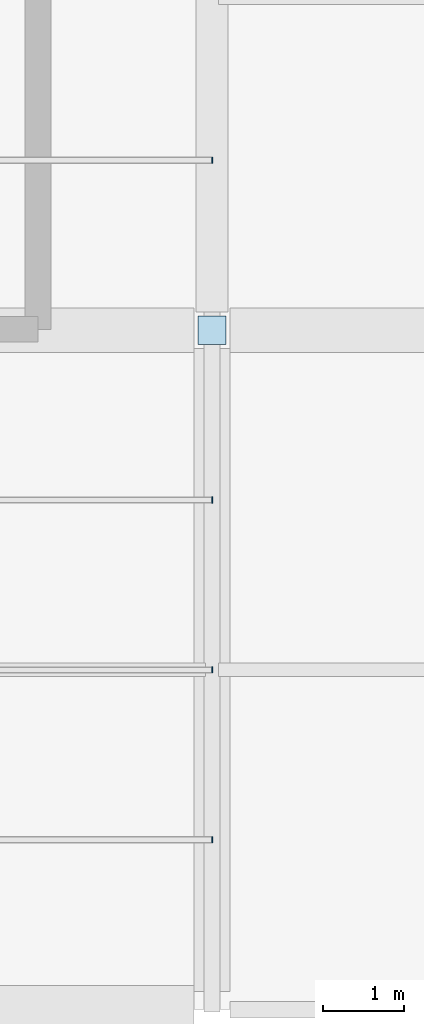
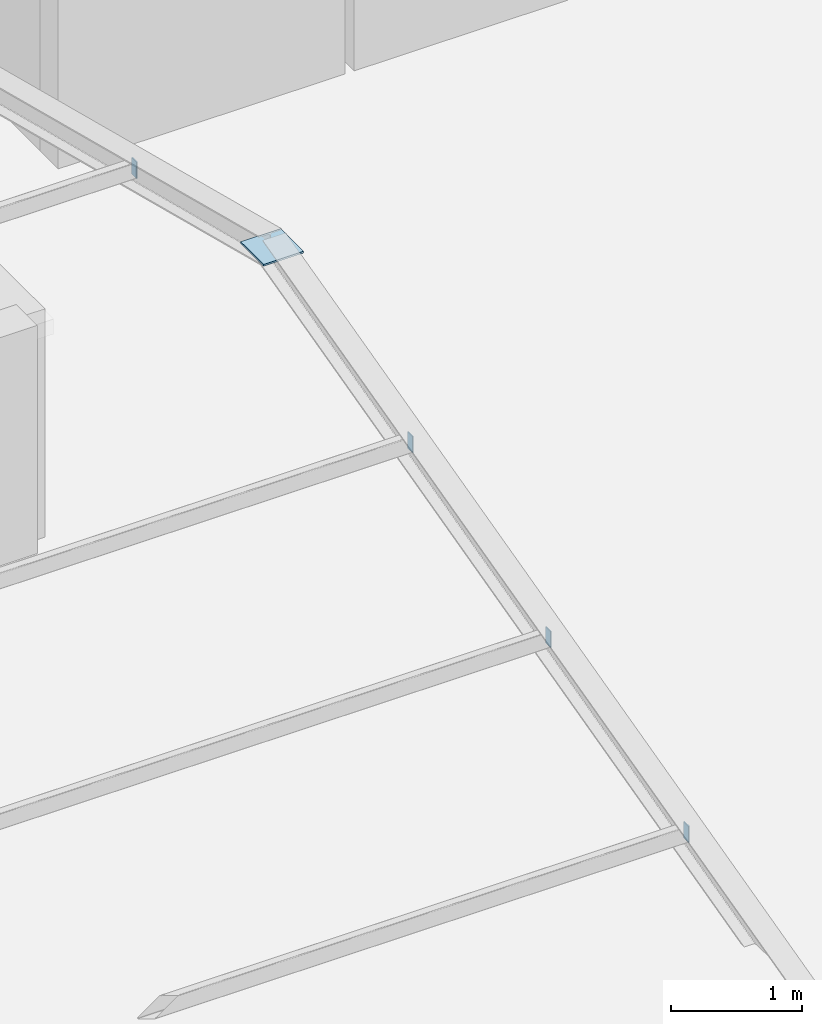
# One storey, part 9 of 17: 5 plates.
"""IFC4 building model written with IfcOpenShell, lengths in metres."""

from ifc_helpers import new_model, si_unit, derived_unit, direction, frame, origin, origin_2d, place, context, subcontext, project, spatial, rectangle, extrude, material, layer, layer_set, type_object, element, save


model = new_model("IFC4")

# Units and contexts
model_context = context("Model", 3, precision=1e-05, world=origin(), true_north=direction((0.0, 1.0)))
body_context = subcontext(model_context, "Body", "Model", "MODEL_VIEW")
ifc_project = project(units=[si_unit("LENGTHUNIT", "METRE"), si_unit("AREAUNIT", "SQUARE_METRE"), si_unit("VOLUMEUNIT", "CUBIC_METRE"), si_unit("PLANEANGLEUNIT", "RADIAN"), si_unit("MASSUNIT", "GRAM", prefix="KILO"), derived_unit("THERMALTRANSMITTANCEUNIT", [(si_unit("POWERUNIT", "WATT"), 1), (si_unit("LENGTHUNIT", "METRE"), -2), (si_unit("THERMODYNAMICTEMPERATUREUNIT", "KELVIN"), -1)])], contexts=[model_context])

# Site, building, storey
site_placement = place(None, origin())
site = spatial("IfcSite", under=ifc_project, at=site_placement, CompositionType="ELEMENT")
building_placement = place(site_placement, origin())
building = spatial("IfcBuilding", under=site, at=building_placement, Name="Barrovel Congress Hotel", CompositionType="ELEMENT")
storey_placement = place(building_placement, frame((0.0, 0.0, 47.10009765625)))
storey = spatial("IfcBuildingStorey", under=building, at=storey_placement, Name="RF", CompositionType="ELEMENT", Elevation=47.10009765625)

# Plates
ifc_material = material(Name="Steel ASTM A992 Grade 50", Category="steel")
ifc_layer_1 = layer(ifc_material, 0.010009765625)
ifc_layer_set_1 = layer_set([ifc_layer_1], Name="Steel ASTM A992 Grade 50")
plate_type_1 = type_object("IfcPlateType", Name="EC-10", PredefinedType="SHEET", material=ifc_layer_set_1)
for number, where, z_axis, x_axis, name in (
    (1, (33.60498046875, 6.300048828125, 0.3115234375), (0.0, 0.0, 1.0), (1.0, 0.0, 0.0), "End Cap Plate RF-PUR:6.3:25.2 end"),
    (2, (33.60498046875, 8.39990234375, 0.84912109375), (0.0, 0.0, 1.0), (1.0, 0.0, 0.0), "End Cap Plate RF-PUR:8.4:25.2 end"),
    (3, (33.60498046875, 10.5, 1.38671875), (0.0, 0.0, 1.0), (1.0, 0.0, 0.0), "End Cap Plate RF-PUR:10.5:25.2 end"),
    (4, (33.60498046875, 14.699951171875, 1.38671875), (0.0, 0.0, 1.0), (1.0, 0.0, 0.0), "End Cap Plate RF-PUR:14.7:25.2 end"),
):
    element("IfcPlate", number, at=place(storey_placement, frame(where, z_axis=z_axis, x_axis=x_axis)), inside=storey, type_object=plate_type_1, Name=name, PredefinedType="SHEET", context=body_context, shape_type="SweptSolid", body=[
        extrude(rectangle(XDim=0.010009765625, YDim=0.076171875, at=origin_2d()), origin(), (0.0, 0.0, 1.0), 0.15234375),
    ])
ifc_layer_2 = layer(ifc_material, 0.01611328125)
ifc_layer_set_2 = layer_set([ifc_layer_2], Name="Steel ASTM A992 Grade 50")
plate_type_2 = type_object("IfcPlateType", Name="GP-16", PredefinedType="SHEET", material=ifc_layer_set_2)
plate_placement = place(storey_placement, frame((33.60009765625, 12.60009765625, 1.99267578125), z_axis=(0.0, 0.0, 1.0), x_axis=(1.0, 0.0, 0.0)))
element("IfcPlate", 5, at=plate_placement, inside=storey, type_object=plate_type_2, Name="RF-RAF-GP:33.6", PredefinedType="SHEET", context=body_context, shape_type="SweptSolid", body=[
    extrude(rectangle(XDim=0.35009765625, YDim=0.35009765625, at=origin_2d()), origin(), (0.0, 0.0, 1.0), 0.01611328125),
])

save(model, "model.ifc")
